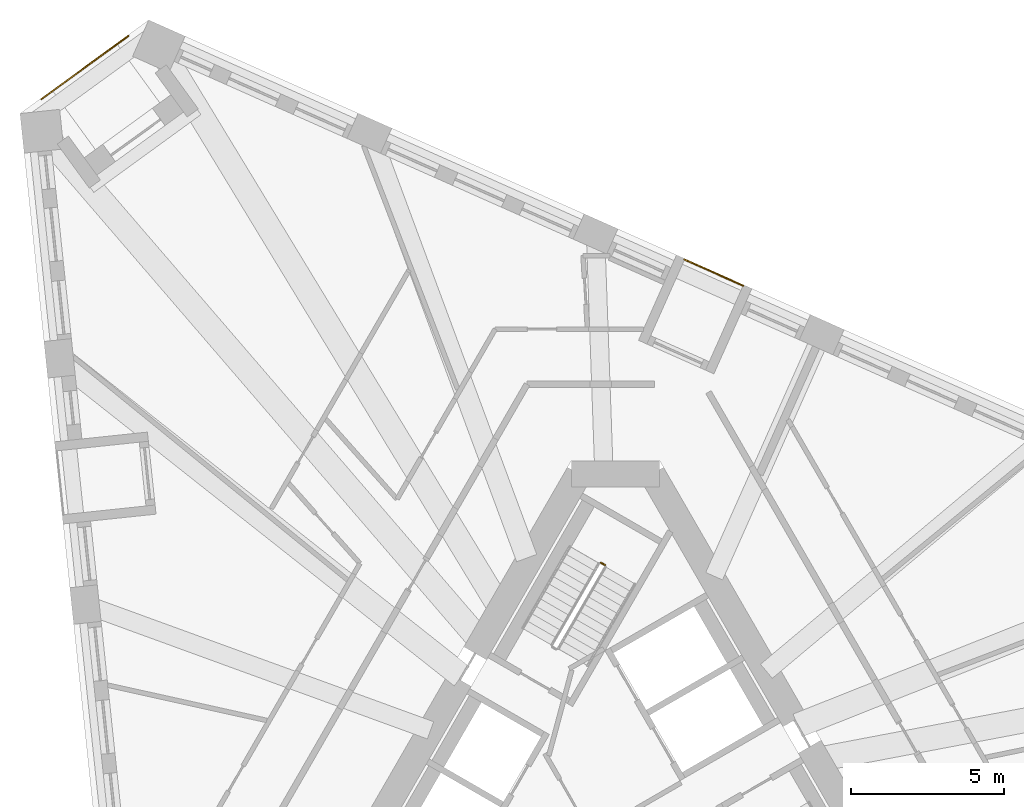
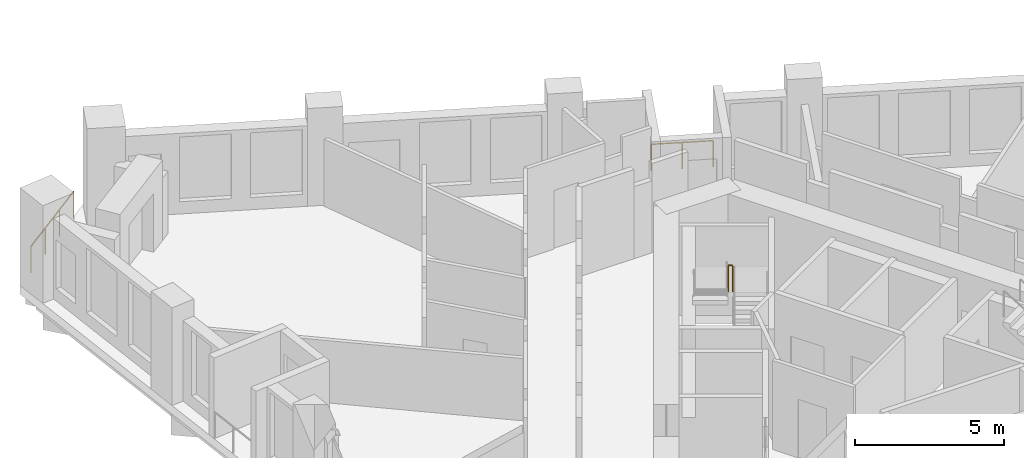
# One storey, part 13 of 14: 3 railings.
"""IFC4 building model written with IfcOpenShell, lengths in metres."""

import ifcopenshell
import ifcopenshell.guid

model = None  # the IFC model being written
_history = None  # IfcOwnerHistory: only IFC2X3 demands one
_inside = {}  # id of a spatial element -> (the spatial element, [elements in it])
_under = {}  # id of a project, library or spatial element -> (it, [spatial elements below it])
_declared = {}  # id of a project -> (the project, [libraries it declares])
_typed = {}  # id of a type object -> (the type object, [elements of that type])
_made_of = {}  # id of a material, layer set ... -> (it, [elements and type objects made of it])


def new_model(schema):
    """Start an empty IFC model of exactly this schema.

    Asked for "IFC4X3", IfcOpenShell would pick the latest addendum, in which some entities
    have other attributes; the version numbers below select the first issue.
    IFC2X3 requires an IfcOwnerHistory on every rooted entity: one is made here for all.
    """
    global model, _history
    if schema == "IFC4X3":
        model = ifcopenshell.file(schema_version=(4, 3, 0, 0))
    else:
        model = ifcopenshell.file(schema=schema)
    _inside.clear()
    _under.clear()
    _declared.clear()
    _typed.clear()
    _made_of.clear()
    _history = None
    if model.schema == "IFC2X3":
        org = make("IfcOrganization", Name="unknown")
        user = make(
            "IfcPersonAndOrganization",
            ThePerson=make("IfcPerson", FamilyName="unknown"),
            TheOrganization=org,
        )
        app = make(
            "IfcApplication",
            ApplicationDeveloper=org,
            Version="unknown",
            ApplicationFullName="unknown",
            ApplicationIdentifier="unknown",
        )
        _history = make(
            "IfcOwnerHistory",
            OwningUser=user,
            OwningApplication=app,
            ChangeAction="ADDED",
            CreationDate=0,
        )
    return model


def make(cls, **values):
    """One entity of the class cls with the attributes given. An attribute that is None is left unset."""
    return model.create_entity(
        cls, **{name: value for name, value in values.items() if value is not None}
    )


def rooted(cls, **values):
    """An entity with a GlobalId (a new one), such as an element, a storey or a relation."""
    return make(cls, GlobalId=ifcopenshell.guid.new(), OwnerHistory=_history, **values)


def si_unit(unit_type, name, prefix=None):
    """IfcSIUnit, for example si_unit("LENGTHUNIT", "METRE", prefix="MILLI")."""
    return make("IfcSIUnit", UnitType=unit_type, Prefix=prefix, Name=name)


def assignment(units):
    """IfcUnitAssignment: the units of a project."""
    return None if units is None else make("IfcUnitAssignment", Units=units)


def point(xyz):
    """IfcCartesianPoint."""
    return None if xyz is None else make("IfcCartesianPoint", Coordinates=xyz)


def direction(xyz):
    """IfcDirection."""
    return None if xyz is None else make("IfcDirection", DirectionRatios=xyz)


def frame(location, z_axis=None, x_axis=None):
    """IfcAxis2Placement3D, a coordinate frame: its origin and axes. An axis left out is left unset."""
    return make(
        "IfcAxis2Placement3D",
        Location=point(location),
        Axis=direction(z_axis),
        RefDirection=direction(x_axis),
    )


def frame_2d(location, x_axis=None):
    """IfcAxis2Placement2D, a coordinate frame in the plane: its origin and x axis."""
    return make(
        "IfcAxis2Placement2D", Location=point(location), RefDirection=direction(x_axis)
    )


def origin():
    """The frame at (0, 0, 0) with its axes left unset."""
    return frame((0.0, 0.0, 0.0))


def origin_2d():
    """The frame at (0, 0) in the plane with its x axis left unset."""
    return frame_2d((0.0, 0.0))


def place(relative_to, where):
    """IfcLocalPlacement: puts the frame where relative to a parent placement (None: the world)."""
    return make(
        "IfcLocalPlacement", PlacementRelTo=relative_to, RelativePlacement=where
    )


def context(
    kind, dimensions, precision=None, world=None, true_north=None, identifier=None
):
    """IfcGeometricRepresentationContext, for example the 3D "Model" context."""
    return make(
        "IfcGeometricRepresentationContext",
        ContextIdentifier=identifier,
        ContextType=kind,
        CoordinateSpaceDimension=dimensions,
        Precision=precision,
        WorldCoordinateSystem=world,
        TrueNorth=true_north,
    )


def subcontext(parent, identifier, kind, view, scale=None):
    """IfcGeometricRepresentationSubContext, for example "Body" below "Model"."""
    return make(
        "IfcGeometricRepresentationSubContext",
        ContextIdentifier=identifier,
        ContextType=kind,
        ParentContext=parent,
        TargetScale=scale,
        TargetView=view,
    )


def project(units=None, contexts=None):
    """IfcProject with its units and contexts."""
    return rooted(
        "IfcProject",
        Name="project",
        RepresentationContexts=contexts,
        UnitsInContext=assignment(units),
    )


def spatial(cls, under=None, at=None, **own):
    """A site, building, storey or space (cls), placed at a placement, below another one or the project."""
    s = rooted(cls, ObjectPlacement=at, **own)
    if under is not None:
        _under.setdefault(under.id(), (under, []))[1].append(s)
    return s


def profile(cls, at=None, kind="AREA", **sizes):
    """A parametric profile (cls). Its sizes go by their IFC names, for example OverallWidth=200.0."""
    return make(cls, ProfileType=kind, Position=at, **sizes)


def circle(**sizes):
    """IfcCircleProfileDef."""
    return profile("IfcCircleProfileDef", **sizes)


def extrude(swept, where, along, depth):
    """IfcExtrudedAreaSolid: the profile swept, set in the frame where, extruded along a direction by depth."""
    return make(
        "IfcExtrudedAreaSolid",
        SweptArea=swept,
        Position=where,
        ExtrudedDirection=direction(along),
        Depth=depth,
    )


def shape(context_of_items, identifier, shape_type, items):
    """IfcShapeRepresentation: the items that make up one representation, for example the "Body"."""
    return make(
        "IfcShapeRepresentation",
        ContextOfItems=context_of_items,
        RepresentationIdentifier=identifier,
        RepresentationType=shape_type,
        Items=items,
    )


def material(Name=None, Category=None):
    """IfcMaterial."""
    return make("IfcMaterial", Name=Name, Category=Category)


def made_of(thing, what):
    """Note that an element or type object is made of a material, layer set ...; save() writes the relation."""
    if what is not None:
        _made_of.setdefault(what.id(), (what, []))[1].append(thing)
    return thing


def type_object(cls, material=None, **own):
    """A type object (cls), such as IfcWallType, which elements share."""
    return made_of(rooted(cls, **own), material)


def element(
    cls,
    number,
    at=None,
    inside=None,
    cuts=None,
    type_object=None,
    material=None,
    context=None,
    identifier="Body",
    shape_type=None,
    held_by="IfcProductDefinitionShape",
    body=None,
    shapes=None,
    **own,
):
    """One element of the class cls, such as IfcWall. Its Tag is "e" and its number.

    at: its placement. inside: the storey or other place that contains it. cuts: it is an
    opening in that element (IfcRelVoidsElement). A single representation is given by context,
    identifier, shape_type and body (its items); several are given by shapes. held_by: the class
    of the entity that holds the representations. save() writes the other relations.
    """
    e = rooted(cls, Tag="e%d" % number, ObjectPlacement=at, **own)
    if body is not None:
        shapes = [shape(context, identifier, shape_type, body)]
    if shapes is not None:
        e.Representation = make(held_by, Representations=shapes)
    if inside is not None:
        _inside.setdefault(inside.id(), (inside, []))[1].append(e)
    if cuts is not None:
        rooted(
            "IfcRelVoidsElement", RelatingBuildingElement=cuts, RelatedOpeningElement=e
        )
    if type_object is not None:
        _typed.setdefault(type_object.id(), (type_object, []))[1].append(e)
    return made_of(e, material)


def aggregate(whole, parts):
    """IfcRelAggregates: a whole, such as a stair, and the parts it consists of."""
    return rooted("IfcRelAggregates", RelatingObject=whole, RelatedObjects=parts)


def save(model, path):
    """Write the relations noted so far, then the file.

    IfcRelAggregates (storeys below a building ...), IfcRelContainedInSpatialStructure (elements
    in a storey), IfcRelDefinesByType, IfcRelAssociatesMaterial and IfcRelDeclares: one each for
    every whole, place, type object, material and project.
    """
    for whole, parts in _under.values():
        aggregate(whole, parts)
    for where, things in _inside.values():
        rooted(
            "IfcRelContainedInSpatialStructure",
            RelatedElements=things,
            RelatingStructure=where,
        )
    for kind, things in _typed.values():
        rooted("IfcRelDefinesByType", RelatedObjects=things, RelatingType=kind)
    for what, things in _made_of.values():
        rooted("IfcRelAssociatesMaterial", RelatedObjects=things, RelatingMaterial=what)
    for by, libraries in _declared.values():
        rooted("IfcRelDeclares", RelatingContext=by, RelatedDefinitions=libraries)
    model.write(path)


model = new_model("IFC4")

# Units and contexts
model_context = context("Model", 3, precision=1e-05, world=origin(), true_north=direction((0.0, 1.0)))
body_context = subcontext(model_context, "Body", "Model", "MODEL_VIEW")
ifc_project = project(units=[si_unit("LENGTHUNIT", "METRE"), si_unit("AREAUNIT", "SQUARE_METRE"), si_unit("VOLUMEUNIT", "CUBIC_METRE"), si_unit("PLANEANGLEUNIT", "RADIAN"), si_unit("MASSUNIT", "GRAM", prefix="KILO")], contexts=[model_context])

# Site, building, storey
site_placement = place(None, origin())
site = spatial("IfcSite", under=ifc_project, at=site_placement, CompositionType="ELEMENT")
building_placement = place(site_placement, origin())
building = spatial("IfcBuilding", under=site, at=building_placement, Name="Tramontana Tower", CompositionType="ELEMENT")
storey_placement = place(building_placement, frame((0.0, 0.0, 166.800048828125)))
storey = spatial("IfcBuildingStorey", under=building, at=storey_placement, Name="L38", CompositionType="ELEMENT", Elevation=166.800048828125)

# Railings
ifc_material_1 = material(Name="Laminated glass balustrade", Category="glass")
railing_type_1 = type_object("IfcRailingType", Name="GD1 Loggia glass balustrade 1100", PredefinedType="BALUSTRADE", material=ifc_material_1)
railing_1_placement = place(storey_placement, frame((4.1669921875, 16.720703125, 0.0)))
element("IfcRailing", 1, at=railing_1_placement, inside=storey, type_object=railing_type_1, Name="Loggia balustrade L38 G4S2.10", PredefinedType="BALUSTRADE", context=body_context, shape_type="SweptSolid", body=[
    extrude(circle(Radius=0.02392578125, at=origin_2d()), frame((0.0, 0.0, 1.076171875), z_axis=(-0.913556597974, 0.40671162056, 0.0), x_axis=(-0.40671162056, -0.913556597974, 0.0)), (0.0, 0.0, 1.0), 2.094482421875),
    extrude(circle(Radius=0.02099609375, at=origin_2d()), origin(), (0.0, 0.0, 1.0), 1.052001953125),
    extrude(circle(Radius=0.02099609375, at=origin_2d()), frame((-0.95654296875, 0.42578125, 0.0)), (0.0, 0.0, 1.0), 1.052001953125),
    extrude(circle(Radius=0.02099609375, at=origin_2d()), frame((-1.913330078125, 0.851806640625, 0.0)), (0.0, 0.0, 1.0), 1.052001953125),
])
railing_2_placement = place(storey_placement, frame((-18.73779296875, 22.81298828125, 0.0)))
element("IfcRailing", 2, at=railing_2_placement, inside=storey, type_object=railing_type_1, Name="Corner loggia balustrade L38 K40", PredefinedType="BALUSTRADE", context=body_context, shape_type="SweptSolid", body=[
    extrude(circle(Radius=0.02392578125, at=origin_2d()), frame((0.0, 0.0, 1.076171875), z_axis=(0.808998426921, 0.587810807352, 0.0), x_axis=(-0.587810807352, 0.808998426921, 0.0)), (0.0, 0.0, 1.0), 3.5),
    extrude(circle(Radius=0.02099609375, at=origin_2d()), origin(), (0.0, 0.0, 1.0), 1.052001953125),
    extrude(circle(Radius=0.02099609375, at=origin_2d()), frame((0.94384765625, 0.685791015625, 0.0)), (0.0, 0.0, 1.0), 1.052001953125),
    extrude(circle(Radius=0.02099609375, at=origin_2d()), frame((1.8876953125, 1.37158203125, 0.0)), (0.0, 0.0, 1.0), 1.052001953125),
    extrude(circle(Radius=0.02099609375, at=origin_2d()), frame((2.83154296875, 2.057373046875, 0.0)), (0.0, 0.0, 1.0), 1.052001953125),
])
ifc_material_2 = material(Name="Painted steel", Category="steel")
railing_type_2 = type_object("IfcRailingType", Name="STAIR GUARD 1100", PredefinedType="GUARDRAIL", material=ifc_material_2)
railing_3_placement = place(storey_placement, frame((-0.345703125, 7.601318359375, 2.0)))
element("IfcRailing", 3, at=railing_3_placement, inside=storey, type_object=railing_type_2, Name="L38 ST1 stair guard 3", PredefinedType="GUARDRAIL", context=body_context, shape_type="SweptSolid", body=[
    extrude(circle(Radius=0.02392578125, at=origin_2d()), frame((0.0, 0.0, 1.076171875), z_axis=(-0.866131372301, 0.499816412211, 0.0), x_axis=(-0.499816412211, -0.866131372301, 0.0)), (0.0, 0.0, 1.0), 0.14990234375),
    extrude(circle(Radius=0.02099609375, at=origin_2d()), origin(), (0.0, 0.0, 1.0), 1.052001953125),
    extrude(circle(Radius=0.02099609375, at=origin_2d()), frame((-0.1298828125, 0.074951171875, 0.0)), (0.0, 0.0, 1.0), 1.052001953125),
])

save(model, "model.ifc")
